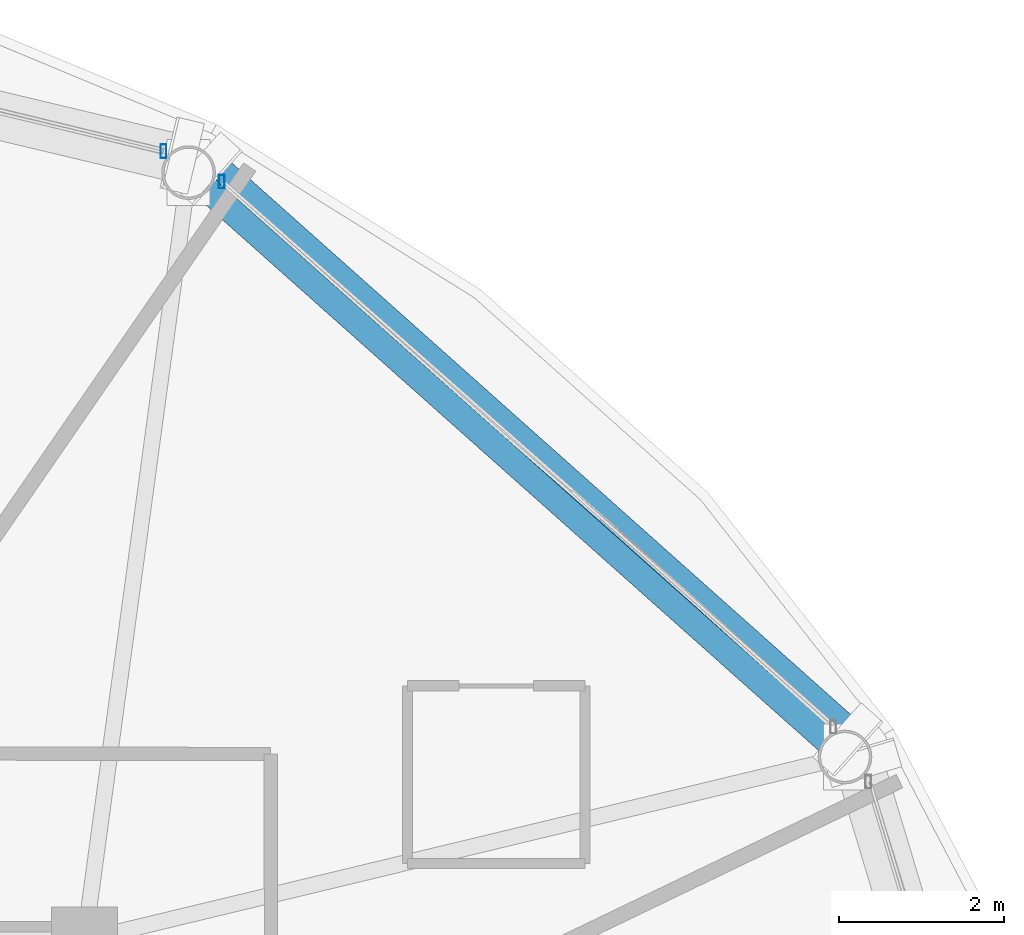
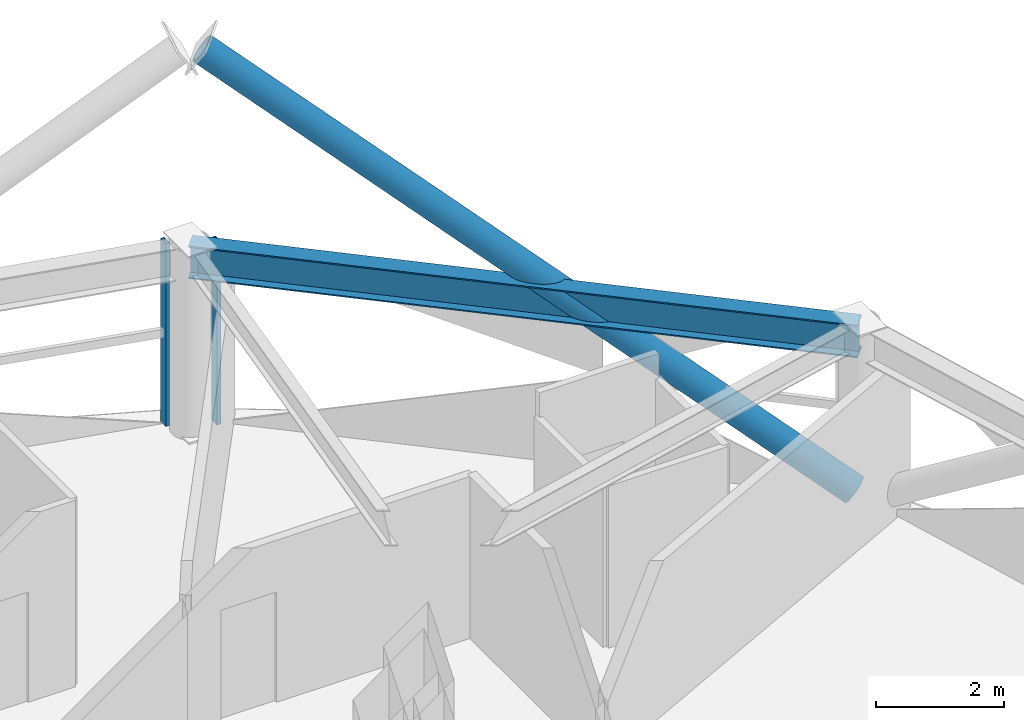
# One storey, part 19 of 29: 3 members, 1 beam, 2 elements without a shape of their own.
"""IFC4 building model written with IfcOpenShell, lengths in metres."""

from ifc_helpers import new_model, si_unit, direction, frame, origin, origin_2d, place, context, subcontext, project, spatial, hollow_rectangle, hollow_circle, i_section, extrude, material, layer, layer_set, material_profile, profile_set, type_object, element, aggregate, save


model = new_model("IFC4")

# Units and contexts
model_context = context("Model", 3, precision=1e-05, world=origin(), true_north=direction((0.0, 1.0)))
body_context = subcontext(model_context, "Body", "Model", "MODEL_VIEW")
ifc_project = project(units=[si_unit("LENGTHUNIT", "METRE"), si_unit("AREAUNIT", "SQUARE_METRE"), si_unit("VOLUMEUNIT", "CUBIC_METRE"), si_unit("PLANEANGLEUNIT", "RADIAN"), si_unit("MASSUNIT", "GRAM", prefix="KILO")], contexts=[model_context])

# Site, building, storey
site_placement = place(None, origin())
site = spatial("IfcSite", under=ifc_project, at=site_placement, CompositionType="ELEMENT")
building_placement = place(site_placement, origin())
building = spatial("IfcBuilding", under=site, at=building_placement, Name="Vantalir Tower", CompositionType="ELEMENT")
storey_placement = place(building_placement, frame((0.0, 0.0, 234.89990234375)))
storey = spatial("IfcBuildingStorey", under=building, at=storey_placement, Name="L59", CompositionType="ELEMENT", Elevation=234.89990234375)

# Beam
ifc_material_1 = material(Name="Steel S460", Category="steel")
ifc_material_profile_1 = material_profile(ifc_material_1, i_section(OverallWidth=0.306884765625, OverallDepth=0.6201171875, WebThickness=0.01416015625, FlangeThickness=0.023681640625, at=origin_2d()), Name="Steel S460")
ifc_profile_set_1 = profile_set([ifc_material_profile_1], Name="Steel S460")
beam_type = type_object("IfcBeamType", Name="BM-RG-610x305", PredefinedType="USERDEFINED", material=ifc_profile_set_1)
beam_placement = place(storey_placement, frame((50.30810546875, 34.666015625, 3.260009765625), z_axis=(-0.746899058065, 0.664937438456, 0.0), x_axis=(-0.664937438456, -0.746899058065, 0.0)))
element("IfcBeam", 1, at=beam_placement, inside=storey, type_object=beam_type, Name="L59 Circumferential Ring Girder 02", ObjectType="GIRDER", PredefinedType="USERDEFINED", context=body_context, shape_type="SweptSolid", body=[
    extrude(i_section(OverallWidth=0.306884765625, OverallDepth=0.6201171875, WebThickness=0.01416015625, FlangeThickness=0.023681640625, at=origin_2d()), origin(), (0.0, 0.0, 1.0), 10.64306640625),
])

# Curtain wall, member
ifc_material_2 = material(Name="Champagne-silver PVDF aluminium and double-silver Low-E glass", Category="aluminium")
ifc_layer = layer(ifc_material_2, 0.2099609375)
ifc_layer_set = layer_set([ifc_layer], Name="Champagne-silver PVDF aluminium and double-silver Low-E glass")
curtain_wall_type = type_object("IfcCurtainWallType", Name="CW-DIAMOND-Z3", PredefinedType="USERDEFINED", material=ifc_layer_set)
curtain_wall_1_placement = place(storey_placement, origin())
curtain_wall_1 = element("IfcCurtainWall", 2, at=curtain_wall_1_placement, inside=storey, type_object=curtain_wall_type, Name="L59 Quilted Pyramid-Diamond Curtain Wall S02", ObjectType="UNITISED CURTAIN WALL", PredefinedType="USERDEFINED")
ifc_material_3 = material(Name="Champagne-silver PVDF aluminium 6063-T6", Category="aluminium")
ifc_material_profile_2 = material_profile(ifc_material_3, hollow_rectangle(XDim=0.070068359375, YDim=0.1650390625, WallThickness=0.00390625, at=origin_2d()), Name="Champagne-silver PVDF aluminium 6063-T6")
ifc_profile_set_2 = profile_set([ifc_material_profile_2], Name="Champagne-silver PVDF aluminium 6063-T6")
member_type_1 = type_object("IfcMemberType", Name="CWM-165x70", PredefinedType="MULLION", material=ifc_profile_set_2)
member_1_placement = place(storey_placement, frame((42.760009765625, 41.634033203125, 0.045166015625), z_axis=(0.0, 0.0, 1.0), x_axis=(1.0, 0.0, 0.0)))
member_1 = element("IfcMember", 3, at=member_1_placement, type_object=member_type_1, Name="CW-L59-S02 Mullion 2", PredefinedType="MULLION", context=body_context, shape_type="SweptSolid", body=[
    extrude(hollow_rectangle(XDim=0.070068359375, YDim=0.1650390625, WallThickness=0.00390625, at=origin_2d()), origin(), (0.0, 0.0, 1.0), 3.47998046875),
])
aggregate(curtain_wall_1, [member_1])

curtain_wall_2_placement = place(storey_placement, origin())
curtain_wall_2 = element("IfcCurtainWall", 4, at=curtain_wall_2_placement, inside=storey, type_object=curtain_wall_type, Name="L59 Quilted Pyramid-Diamond Curtain Wall S03", ObjectType="UNITISED CURTAIN WALL", PredefinedType="USERDEFINED")
member_2_placement = place(storey_placement, frame((42.054931640625, 42.001953125, 0.045166015625), z_axis=(0.0, 0.0, 1.0), x_axis=(1.0, 0.0, 0.0)))
member_2 = element("IfcMember", 5, at=member_2_placement, type_object=member_type_1, Name="CW-L59-S03 Mullion 1", PredefinedType="MULLION", context=body_context, shape_type="SweptSolid", body=[
    extrude(hollow_rectangle(XDim=0.070068359375, YDim=0.1650390625, WallThickness=0.00390625, at=origin_2d()), origin(), (0.0, 0.0, 1.0), 3.47998046875),
])
aggregate(curtain_wall_2, [member_2])

# Member
ifc_material_profile_3 = material_profile(ifc_material_1, hollow_circle(Radius=0.25, WallThickness=0.031982421875, at=origin_2d()), Name="Steel S460")
ifc_profile_set_3 = profile_set([ifc_material_profile_3], Name="Steel S460")
member_type_2 = type_object("IfcMemberType", Name="MEM-DB-500x32", PredefinedType="BRACE", material=ifc_profile_set_3)
member_3_placement = place(storey_placement, frame((50.3359375, 34.883056640625, 0.2021484375), z_axis=(-0.621182231452, 0.553567496238, 0.554703220143), x_axis=(-0.66530694266, -0.746569937814, 0.0)))
element("IfcMember", 6, at=member_3_placement, inside=storey, type_object=member_type_2, Name="L59 Perimeter S460 Diagrid Brace R04L", PredefinedType="BRACE", context=body_context, shape_type="SweptSolid", body=[
    extrude(hollow_circle(Radius=0.25, WallThickness=0.031982421875, at=origin_2d()), origin(), (0.0, 0.0, 1.0), 12.468017578125),
])

save(model, "model.ifc")
